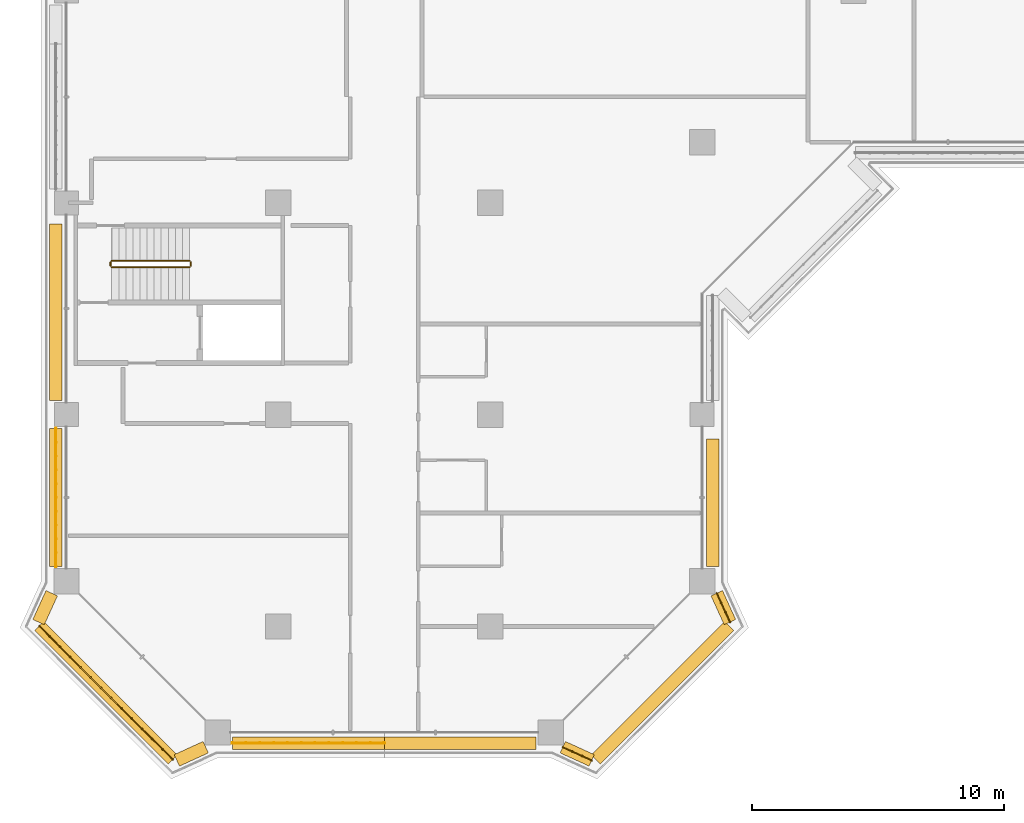
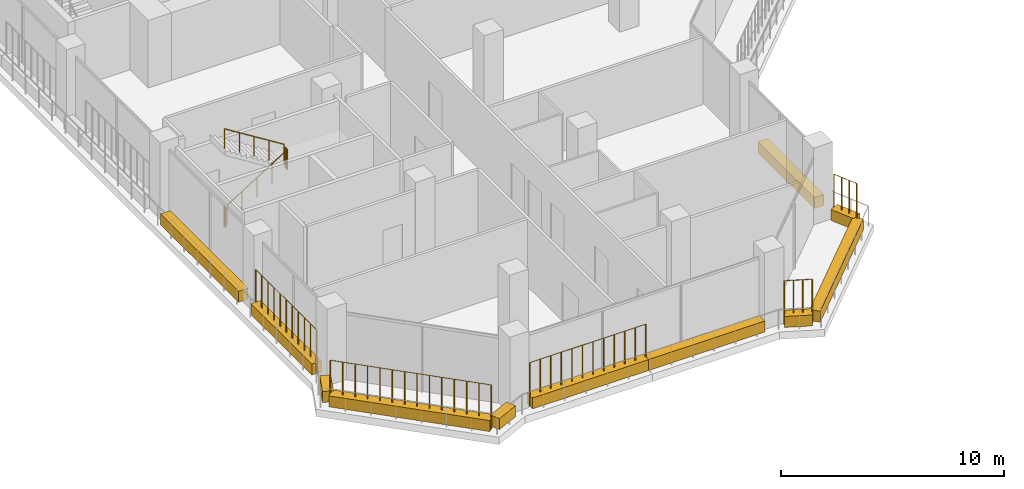
# One storey, part 16 of 22: 11 coverings, 9 railings.
"""IFC4 building model written with IfcOpenShell, lengths in metres."""

import ifcopenshell
import ifcopenshell.guid

model = None  # the IFC model being written
_history = None  # IfcOwnerHistory: only IFC2X3 demands one
_inside = {}  # id of a spatial element -> (the spatial element, [elements in it])
_under = {}  # id of a project, library or spatial element -> (it, [spatial elements below it])
_declared = {}  # id of a project -> (the project, [libraries it declares])
_typed = {}  # id of a type object -> (the type object, [elements of that type])
_made_of = {}  # id of a material, layer set ... -> (it, [elements and type objects made of it])


def new_model(schema):
    """Start an empty IFC model of exactly this schema.

    Asked for "IFC4X3", IfcOpenShell would pick the latest addendum, in which some entities
    have other attributes; the version numbers below select the first issue.
    IFC2X3 requires an IfcOwnerHistory on every rooted entity: one is made here for all.
    """
    global model, _history
    if schema == "IFC4X3":
        model = ifcopenshell.file(schema_version=(4, 3, 0, 0))
    else:
        model = ifcopenshell.file(schema=schema)
    _inside.clear()
    _under.clear()
    _declared.clear()
    _typed.clear()
    _made_of.clear()
    _history = None
    if model.schema == "IFC2X3":
        org = make("IfcOrganization", Name="unknown")
        user = make(
            "IfcPersonAndOrganization",
            ThePerson=make("IfcPerson", FamilyName="unknown"),
            TheOrganization=org,
        )
        app = make(
            "IfcApplication",
            ApplicationDeveloper=org,
            Version="unknown",
            ApplicationFullName="unknown",
            ApplicationIdentifier="unknown",
        )
        _history = make(
            "IfcOwnerHistory",
            OwningUser=user,
            OwningApplication=app,
            ChangeAction="ADDED",
            CreationDate=0,
        )
    return model


def make(cls, **values):
    """One entity of the class cls with the attributes given. An attribute that is None is left unset."""
    return model.create_entity(
        cls, **{name: value for name, value in values.items() if value is not None}
    )


def rooted(cls, **values):
    """An entity with a GlobalId (a new one), such as an element, a storey or a relation."""
    return make(cls, GlobalId=ifcopenshell.guid.new(), OwnerHistory=_history, **values)


def si_unit(unit_type, name, prefix=None):
    """IfcSIUnit, for example si_unit("LENGTHUNIT", "METRE", prefix="MILLI")."""
    return make("IfcSIUnit", UnitType=unit_type, Prefix=prefix, Name=name)


def assignment(units):
    """IfcUnitAssignment: the units of a project."""
    return None if units is None else make("IfcUnitAssignment", Units=units)


def point(xyz):
    """IfcCartesianPoint."""
    return None if xyz is None else make("IfcCartesianPoint", Coordinates=xyz)


def direction(xyz):
    """IfcDirection."""
    return None if xyz is None else make("IfcDirection", DirectionRatios=xyz)


def frame(location, z_axis=None, x_axis=None):
    """IfcAxis2Placement3D, a coordinate frame: its origin and axes. An axis left out is left unset."""
    return make(
        "IfcAxis2Placement3D",
        Location=point(location),
        Axis=direction(z_axis),
        RefDirection=direction(x_axis),
    )


def frame_2d(location, x_axis=None):
    """IfcAxis2Placement2D, a coordinate frame in the plane: its origin and x axis."""
    return make(
        "IfcAxis2Placement2D", Location=point(location), RefDirection=direction(x_axis)
    )


def origin():
    """The frame at (0, 0, 0) with its axes left unset."""
    return frame((0.0, 0.0, 0.0))


def origin_2d():
    """The frame at (0, 0) in the plane with its x axis left unset."""
    return frame_2d((0.0, 0.0))


def place(relative_to, where):
    """IfcLocalPlacement: puts the frame where relative to a parent placement (None: the world)."""
    return make(
        "IfcLocalPlacement", PlacementRelTo=relative_to, RelativePlacement=where
    )


def context(
    kind, dimensions, precision=None, world=None, true_north=None, identifier=None
):
    """IfcGeometricRepresentationContext, for example the 3D "Model" context."""
    return make(
        "IfcGeometricRepresentationContext",
        ContextIdentifier=identifier,
        ContextType=kind,
        CoordinateSpaceDimension=dimensions,
        Precision=precision,
        WorldCoordinateSystem=world,
        TrueNorth=true_north,
    )


def subcontext(parent, identifier, kind, view, scale=None):
    """IfcGeometricRepresentationSubContext, for example "Body" below "Model"."""
    return make(
        "IfcGeometricRepresentationSubContext",
        ContextIdentifier=identifier,
        ContextType=kind,
        ParentContext=parent,
        TargetScale=scale,
        TargetView=view,
    )


def project(units=None, contexts=None):
    """IfcProject with its units and contexts."""
    return rooted(
        "IfcProject",
        Name="project",
        RepresentationContexts=contexts,
        UnitsInContext=assignment(units),
    )


def spatial(cls, under=None, at=None, **own):
    """A site, building, storey or space (cls), placed at a placement, below another one or the project."""
    s = rooted(cls, ObjectPlacement=at, **own)
    if under is not None:
        _under.setdefault(under.id(), (under, []))[1].append(s)
    return s


def profile(cls, at=None, kind="AREA", **sizes):
    """A parametric profile (cls). Its sizes go by their IFC names, for example OverallWidth=200.0."""
    return make(cls, ProfileType=kind, Position=at, **sizes)


def rectangle(**sizes):
    """IfcRectangleProfileDef."""
    return profile("IfcRectangleProfileDef", **sizes)


def circle(**sizes):
    """IfcCircleProfileDef."""
    return profile("IfcCircleProfileDef", **sizes)


def extrude(swept, where, along, depth):
    """IfcExtrudedAreaSolid: the profile swept, set in the frame where, extruded along a direction by depth."""
    return make(
        "IfcExtrudedAreaSolid",
        SweptArea=swept,
        Position=where,
        ExtrudedDirection=direction(along),
        Depth=depth,
    )


def shape(context_of_items, identifier, shape_type, items):
    """IfcShapeRepresentation: the items that make up one representation, for example the "Body"."""
    return make(
        "IfcShapeRepresentation",
        ContextOfItems=context_of_items,
        RepresentationIdentifier=identifier,
        RepresentationType=shape_type,
        Items=items,
    )


def material(Name=None, Category=None):
    """IfcMaterial."""
    return make("IfcMaterial", Name=Name, Category=Category)


def material_profile(
    of_material, cross_section, Name=None, Category=None, Priority=None
):
    """IfcMaterialProfile: a cross section and its material."""
    return make(
        "IfcMaterialProfile",
        Name=Name,
        Material=of_material,
        Profile=cross_section,
        Priority=Priority,
        Category=Category,
    )


def profile_set(profiles, Name=None, composite=None):
    """IfcMaterialProfileSet."""
    return make(
        "IfcMaterialProfileSet",
        Name=Name,
        MaterialProfiles=profiles,
        CompositeProfile=composite,
    )


def made_of(thing, what):
    """Note that an element or type object is made of a material, layer set ...; save() writes the relation."""
    if what is not None:
        _made_of.setdefault(what.id(), (what, []))[1].append(thing)
    return thing


def type_object(cls, material=None, **own):
    """A type object (cls), such as IfcWallType, which elements share."""
    return made_of(rooted(cls, **own), material)


def element(
    cls,
    number,
    at=None,
    inside=None,
    cuts=None,
    type_object=None,
    material=None,
    context=None,
    identifier="Body",
    shape_type=None,
    held_by="IfcProductDefinitionShape",
    body=None,
    shapes=None,
    **own,
):
    """One element of the class cls, such as IfcWall. Its Tag is "e" and its number.

    at: its placement. inside: the storey or other place that contains it. cuts: it is an
    opening in that element (IfcRelVoidsElement). A single representation is given by context,
    identifier, shape_type and body (its items); several are given by shapes. held_by: the class
    of the entity that holds the representations. save() writes the other relations.
    """
    e = rooted(cls, Tag="e%d" % number, ObjectPlacement=at, **own)
    if body is not None:
        shapes = [shape(context, identifier, shape_type, body)]
    if shapes is not None:
        e.Representation = make(held_by, Representations=shapes)
    if inside is not None:
        _inside.setdefault(inside.id(), (inside, []))[1].append(e)
    if cuts is not None:
        rooted(
            "IfcRelVoidsElement", RelatingBuildingElement=cuts, RelatedOpeningElement=e
        )
    if type_object is not None:
        _typed.setdefault(type_object.id(), (type_object, []))[1].append(e)
    return made_of(e, material)


def aggregate(whole, parts):
    """IfcRelAggregates: a whole, such as a stair, and the parts it consists of."""
    return rooted("IfcRelAggregates", RelatingObject=whole, RelatedObjects=parts)


def save(model, path):
    """Write the relations noted so far, then the file.

    IfcRelAggregates (storeys below a building ...), IfcRelContainedInSpatialStructure (elements
    in a storey), IfcRelDefinesByType, IfcRelAssociatesMaterial and IfcRelDeclares: one each for
    every whole, place, type object, material and project.
    """
    for whole, parts in _under.values():
        aggregate(whole, parts)
    for where, things in _inside.values():
        rooted(
            "IfcRelContainedInSpatialStructure",
            RelatedElements=things,
            RelatingStructure=where,
        )
    for kind, things in _typed.values():
        rooted("IfcRelDefinesByType", RelatedObjects=things, RelatingType=kind)
    for what, things in _made_of.values():
        rooted("IfcRelAssociatesMaterial", RelatedObjects=things, RelatingMaterial=what)
    for by, libraries in _declared.values():
        rooted("IfcRelDeclares", RelatingContext=by, RelatedDefinitions=libraries)
    model.write(path)


model = new_model("IFC4")

# Units and contexts
model_context = context("Model", 3, precision=1e-05, world=origin(), true_north=direction((0.0, 1.0)))
body_context = subcontext(model_context, "Body", "Model", "MODEL_VIEW")
ifc_project = project(units=[si_unit("LENGTHUNIT", "METRE"), si_unit("AREAUNIT", "SQUARE_METRE"), si_unit("VOLUMEUNIT", "CUBIC_METRE"), si_unit("PLANEANGLEUNIT", "RADIAN"), si_unit("MASSUNIT", "GRAM", prefix="KILO")], contexts=[model_context])

# Site, building, storey
site_placement = place(None, origin())
site = spatial("IfcSite", under=ifc_project, at=site_placement, CompositionType="ELEMENT")
building_placement = place(site_placement, origin())
building = spatial("IfcBuilding", under=site, at=building_placement, Name="Kawkab Arch Medical Tower", CompositionType="ELEMENT")
storey_placement = place(building_placement, frame((0.0, 0.0, 208.800048828125)))
storey = spatial("IfcBuildingStorey", under=building, at=storey_placement, Name="L48", CompositionType="ELEMENT", Elevation=208.800048828125)

# Coverings
ifc_material_1 = material(Name="Planting soil in a precast trough", Category="concrete")
ifc_material_profile = material_profile(ifc_material_1, rectangle(XDim=0.5, YDim=0.60009765625, at=origin_2d()), Name="Trough 500x600")
ifc_profile_set = profile_set([ifc_material_profile], Name="Planting soil in a precast trough")
covering_type = type_object("IfcCoveringType", Name="Planter trough 500 x 600", PredefinedType="USERDEFINED", material=ifc_profile_set)
covering_1_placement = place(storey_placement, frame((20.821044921875, -55.701904296875, 0.300048828125), z_axis=(-0.909780461959, 0.415089762627, 0.0), x_axis=(-0.415089762627, -0.909780461959, 0.0)))
element("IfcCovering", 1, at=covering_1_placement, inside=storey, type_object=covering_type, Name="Planter L48.LOG-01-01.1", ObjectType="PLANTER", PredefinedType="USERDEFINED", context=body_context, shape_type="SweptSolid", body=[
    extrude(rectangle(XDim=0.5, YDim=0.60009765625, at=origin_2d()), origin(), (0.0, 0.0, 1.0), 1.257568359375),
])
for number, where, z_axis, x_axis, name in (
    (2, (18.6201171875, -55.02001953125, 0.300048828125), (-1.0, 0.0, 0.0), (0.0, -1.0, 0.0), "Planter L48.LOG-01-01.2"),
    (3, (12.60009765625, -55.02001953125, 0.300048828125), (-1.0, 0.0, 0.0), (0.0, -1.0, 0.0), "Planter L48.LOG-01-01.3"),
):
    element("IfcCovering", number, at=place(storey_placement, frame(where, z_axis=z_axis, x_axis=x_axis)), inside=storey, type_object=covering_type, Name=name, ObjectType="PLANTER", PredefinedType="USERDEFINED", context=body_context, shape_type="SweptSolid", body=[
        extrude(rectangle(XDim=0.5, YDim=0.60009765625, at=origin_2d()), origin(), (0.0, 0.0, 1.0), 6.02001953125),
    ])
covering_2_placement = place(storey_placement, frame((5.52294921875, -55.179931640625, 0.300048828125), z_axis=(-0.909780461959, -0.415089762627, 0.0), x_axis=(0.415089762627, -0.909780461959, 0.0)))
element("IfcCovering", 4, at=covering_2_placement, inside=storey, type_object=covering_type, Name="Planter L48.LOG-01-01.4", ObjectType="PLANTER", PredefinedType="USERDEFINED", context=body_context, shape_type="SweptSolid", body=[
    extrude(rectangle(XDim=0.5, YDim=0.60009765625, at=origin_2d()), origin(), (0.0, 0.0, 1.0), 1.257568359375),
])
covering_3_placement = place(storey_placement, frame((4.217041015625, -55.673095703125, 0.300048828125), z_axis=(-0.707106781187, 0.707106781187, 0.0), x_axis=(-0.707106781187, -0.707106781187, 0.0)))
element("IfcCovering", 5, at=covering_3_placement, inside=storey, type_object=covering_type, Name="Planter L48.LOG-01-01.5", ObjectType="PLANTER", PredefinedType="USERDEFINED", context=body_context, shape_type="SweptSolid", body=[
    extrude(rectangle(XDim=0.5, YDim=0.60009765625, at=origin_2d()), origin(), (0.0, 0.0, 1.0), 7.481201171875),
])
covering_4_placement = place(storey_placement, frame((-1.10205078125, -50.220947265625, 0.300048828125), z_axis=(0.415089762627, 0.909780461959, 0.0), x_axis=(-0.909780461959, 0.415089762627, 0.0)))
element("IfcCovering", 6, at=covering_4_placement, inside=storey, type_object=covering_type, Name="Planter L48.LOG-01-01.6", ObjectType="PLANTER", PredefinedType="USERDEFINED", context=body_context, shape_type="SweptSolid", body=[
    extrude(rectangle(XDim=0.5, YDim=0.60009765625, at=origin_2d()), origin(), (0.0, 0.0, 1.0), 1.257568359375),
])
covering_5_placement = place(storey_placement, frame((-0.419921875, -48.02001953125, 0.300048828125), z_axis=(0.0, 1.0, 0.0), x_axis=(-1.0, 0.0, 0.0)))
element("IfcCovering", 7, at=covering_5_placement, inside=storey, type_object=covering_type, Name="Planter L48.LOG-01-01.7", ObjectType="PLANTER", PredefinedType="USERDEFINED", context=body_context, shape_type="SweptSolid", body=[
    extrude(rectangle(XDim=0.5, YDim=0.60009765625, at=origin_2d()), origin(), (0.0, 0.0, 1.0), 5.465087890625),
])
covering_6_placement = place(storey_placement, frame((-0.419921875, -41.445068359375, 0.300048828125), z_axis=(0.0, 1.0, 0.0), x_axis=(-1.0, 0.0, 0.0)))
element("IfcCovering", 8, at=covering_6_placement, inside=storey, type_object=covering_type, Name="Planter L48.LOG-01-01.8", ObjectType="PLANTER", PredefinedType="USERDEFINED", context=body_context, shape_type="SweptSolid", body=[
    extrude(rectangle(XDim=0.5, YDim=0.60009765625, at=origin_2d()), origin(), (0.0, 0.0, 1.0), 7.003173828125),
])
covering_7_placement = place(storey_placement, frame((25.6201171875, -42.955078125, 0.300048828125), z_axis=(0.0, -1.0, 0.0), x_axis=(1.0, 0.0, 0.0)))
element("IfcCovering", 9, at=covering_7_placement, inside=storey, type_object=covering_type, Name="Planter L48.LOG-01-01.42", ObjectType="PLANTER", PredefinedType="USERDEFINED", context=body_context, shape_type="SweptSolid", body=[
    extrude(rectangle(XDim=0.5, YDim=0.60009765625, at=origin_2d()), origin(), (0.0, 0.0, 1.0), 5.06494140625),
])
covering_8_placement = place(storey_placement, frame((25.780029296875, -49.076904296875, 0.300048828125), z_axis=(0.415089762627, -0.909780461959, 0.0), x_axis=(0.909780461959, 0.415089762627, 0.0)))
element("IfcCovering", 10, at=covering_8_placement, inside=storey, type_object=covering_type, Name="Planter L48.LOG-01-01.43", ObjectType="PLANTER", PredefinedType="USERDEFINED", context=body_context, shape_type="SweptSolid", body=[
    extrude(rectangle(XDim=0.5, YDim=0.60009765625, at=origin_2d()), origin(), (0.0, 0.0, 1.0), 1.257568359375),
])
covering_9_placement = place(storey_placement, frame((26.27294921875, -50.383056640625, 0.300048828125), z_axis=(-0.707106781187, -0.707106781187, 0.0), x_axis=(0.707106781187, -0.707106781187, 0.0)))
element("IfcCovering", 11, at=covering_9_placement, inside=storey, type_object=covering_type, Name="Planter L48.LOG-01-01.44", ObjectType="PLANTER", PredefinedType="USERDEFINED", context=body_context, shape_type="SweptSolid", body=[
    extrude(rectangle(XDim=0.5, YDim=0.60009765625, at=origin_2d()), origin(), (0.0, 0.0, 1.0), 7.481201171875),
])

# Railings
ifc_material_2 = material(Name="Bronze anodised aluminium trellis for climbing plants", Category="aluminium")
railing_type_1 = type_object("IfcRailingType", Name="Planting trellis 2400", PredefinedType="USERDEFINED", material=ifc_material_2)
railing_1_placement = place(storey_placement, frame((20.821044921875, -55.701904296875, 0.0)))
element("IfcRailing", 12, at=railing_1_placement, inside=storey, type_object=railing_type_1, Name="Planting trellis L48.LOG-01-01.1", ObjectType="TRELLIS", PredefinedType="USERDEFINED", context=body_context, shape_type="SweptSolid", body=[
    extrude(circle(Radius=0.01513671875, at=origin_2d()), frame((0.0, 0.0, 2.384765625), z_axis=(-0.909780461959, 0.415089762627, 0.0), x_axis=(-0.415089762627, -0.909780461959, 0.0)), (0.0, 0.0, 1.0), 1.257568359375),
    extrude(circle(Radius=0.030029296875, at=origin_2d()), origin(), (0.0, 0.0, 1.0), 2.369873046875),
    extrude(circle(Radius=0.030029296875, at=origin_2d()), frame((-0.38134765625, 0.174072265625, 0.0)), (0.0, 0.0, 1.0), 2.369873046875),
    extrude(circle(Radius=0.030029296875, at=origin_2d()), frame((-0.7626953125, 0.347900390625, 0.0)), (0.0, 0.0, 1.0), 2.369873046875),
    extrude(circle(Radius=0.030029296875, at=origin_2d()), frame((-1.14404296875, 0.52197265625, 0.0)), (0.0, 0.0, 1.0), 2.369873046875),
])
railing_2_placement = place(storey_placement, frame((12.60009765625, -55.02001953125, 0.0)))
element("IfcRailing", 13, at=railing_2_placement, inside=storey, type_object=railing_type_1, Name="Planting trellis L48.LOG-01-01.3", ObjectType="TRELLIS", PredefinedType="USERDEFINED", context=body_context, shape_type="SweptSolid", body=[
    extrude(circle(Radius=0.01513671875, at=origin_2d()), frame((0.0, 0.0, 2.384765625), z_axis=(-1.0, 0.0, 0.0), x_axis=(0.0, -1.0, 0.0)), (0.0, 0.0, 1.0), 6.02001953125),
    extrude(circle(Radius=0.030029296875, at=origin_2d()), origin(), (0.0, 0.0, 1.0), 2.369873046875),
    extrude(circle(Radius=0.030029296875, at=origin_2d()), frame((-0.54736328125, 0.0, 0.0)), (0.0, 0.0, 1.0), 2.369873046875),
    extrude(circle(Radius=0.030029296875, at=origin_2d()), frame((-1.094482421875, 0.0, 0.0)), (0.0, 0.0, 1.0), 2.369873046875),
    extrude(circle(Radius=0.030029296875, at=origin_2d()), frame((-1.641845703125, 0.0, 0.0)), (0.0, 0.0, 1.0), 2.369873046875),
    extrude(circle(Radius=0.030029296875, at=origin_2d()), frame((-2.189208984375, 0.0, 0.0)), (0.0, 0.0, 1.0), 2.369873046875),
    extrude(circle(Radius=0.030029296875, at=origin_2d()), frame((-2.736328125, 0.0, 0.0)), (0.0, 0.0, 1.0), 2.369873046875),
    extrude(circle(Radius=0.030029296875, at=origin_2d()), frame((-3.28369140625, 0.0, 0.0)), (0.0, 0.0, 1.0), 2.369873046875),
    extrude(circle(Radius=0.030029296875, at=origin_2d()), frame((-3.830810546875, 0.0, 0.0)), (0.0, 0.0, 1.0), 2.369873046875),
    extrude(circle(Radius=0.030029296875, at=origin_2d()), frame((-4.378173828125, 0.0, 0.0)), (0.0, 0.0, 1.0), 2.369873046875),
    extrude(circle(Radius=0.030029296875, at=origin_2d()), frame((-4.925537109375, 0.0, 0.0)), (0.0, 0.0, 1.0), 2.369873046875),
    extrude(circle(Radius=0.030029296875, at=origin_2d()), frame((-5.47265625, 0.0, 0.0)), (0.0, 0.0, 1.0), 2.369873046875),
    extrude(circle(Radius=0.030029296875, at=origin_2d()), frame((-6.02001953125, 0.0, 0.0)), (0.0, 0.0, 1.0), 2.369873046875),
])
railing_3_placement = place(storey_placement, frame((4.217041015625, -55.673095703125, 0.0)))
element("IfcRailing", 14, at=railing_3_placement, inside=storey, type_object=railing_type_1, Name="Planting trellis L48.LOG-01-01.5", ObjectType="TRELLIS", PredefinedType="USERDEFINED", context=body_context, shape_type="SweptSolid", body=[
    extrude(circle(Radius=0.01513671875, at=origin_2d()), frame((0.0, 0.0, 2.384765625), z_axis=(-0.707106781187, 0.707106781187, 0.0), x_axis=(-0.707106781187, -0.707106781187, 0.0)), (0.0, 0.0, 1.0), 7.481201171875),
    extrude(circle(Radius=0.030029296875, at=origin_2d()), origin(), (0.0, 0.0, 1.0), 2.369873046875),
    extrude(circle(Radius=0.030029296875, at=origin_2d()), frame((-0.406982421875, 0.406982421875, 0.0)), (0.0, 0.0, 1.0), 2.369873046875),
    extrude(circle(Radius=0.030029296875, at=origin_2d()), frame((-0.81396484375, 0.81396484375, 0.0)), (0.0, 0.0, 1.0), 2.369873046875),
    extrude(circle(Radius=0.030029296875, at=origin_2d()), frame((-1.220703125, 1.220703125, 0.0)), (0.0, 0.0, 1.0), 2.369873046875),
    extrude(circle(Radius=0.030029296875, at=origin_2d()), frame((-1.627685546875, 1.627685546875, 0.0)), (0.0, 0.0, 1.0), 2.369873046875),
    extrude(circle(Radius=0.030029296875, at=origin_2d()), frame((-2.03466796875, 2.03466796875, 0.0)), (0.0, 0.0, 1.0), 2.369873046875),
    extrude(circle(Radius=0.030029296875, at=origin_2d()), frame((-2.441650390625, 2.441650390625, 0.0)), (0.0, 0.0, 1.0), 2.369873046875),
    extrude(circle(Radius=0.030029296875, at=origin_2d()), frame((-2.848388671875, 2.848388671875, 0.0)), (0.0, 0.0, 1.0), 2.369873046875),
    extrude(circle(Radius=0.030029296875, at=origin_2d()), frame((-3.25537109375, 3.25537109375, 0.0)), (0.0, 0.0, 1.0), 2.369873046875),
    extrude(circle(Radius=0.030029296875, at=origin_2d()), frame((-3.662353515625, 3.662353515625, 0.0)), (0.0, 0.0, 1.0), 2.369873046875),
    extrude(circle(Radius=0.030029296875, at=origin_2d()), frame((-4.0693359375, 4.0693359375, 0.0)), (0.0, 0.0, 1.0), 2.369873046875),
    extrude(circle(Radius=0.030029296875, at=origin_2d()), frame((-4.47607421875, 4.47607421875, 0.0)), (0.0, 0.0, 1.0), 2.369873046875),
    extrude(circle(Radius=0.030029296875, at=origin_2d()), frame((-4.883056640625, 4.883056640625, 0.0)), (0.0, 0.0, 1.0), 2.369873046875),
    extrude(circle(Radius=0.030029296875, at=origin_2d()), frame((-5.2900390625, 5.2900390625, 0.0)), (0.0, 0.0, 1.0), 2.369873046875),
])
railing_4_placement = place(storey_placement, frame((-0.419921875, -48.02001953125, 0.0)))
element("IfcRailing", 15, at=railing_4_placement, inside=storey, type_object=railing_type_1, Name="Planting trellis L48.LOG-01-01.7", ObjectType="TRELLIS", PredefinedType="USERDEFINED", context=body_context, shape_type="SweptSolid", body=[
    extrude(circle(Radius=0.01513671875, at=origin_2d()), frame((0.0, 0.0, 2.384765625), z_axis=(0.0, 1.0, 0.0), x_axis=(-1.0, 0.0, 0.0)), (0.0, 0.0, 1.0), 5.465087890625),
    extrude(circle(Radius=0.030029296875, at=origin_2d()), origin(), (0.0, 0.0, 1.0), 2.369873046875),
    extrude(circle(Radius=0.030029296875, at=origin_2d()), frame((0.0, 0.54638671875, 0.0)), (0.0, 0.0, 1.0), 2.369873046875),
    extrude(circle(Radius=0.030029296875, at=origin_2d()), frame((0.0, 1.093017578125, 0.0)), (0.0, 0.0, 1.0), 2.369873046875),
    extrude(circle(Radius=0.030029296875, at=origin_2d()), frame((0.0, 1.6396484375, 0.0)), (0.0, 0.0, 1.0), 2.369873046875),
    extrude(circle(Radius=0.030029296875, at=origin_2d()), frame((0.0, 2.18603515625, 0.0)), (0.0, 0.0, 1.0), 2.369873046875),
    extrude(circle(Radius=0.030029296875, at=origin_2d()), frame((0.0, 2.732421875, 0.0)), (0.0, 0.0, 1.0), 2.369873046875),
    extrude(circle(Radius=0.030029296875, at=origin_2d()), frame((0.0, 3.279052734375, 0.0)), (0.0, 0.0, 1.0), 2.369873046875),
    extrude(circle(Radius=0.030029296875, at=origin_2d()), frame((0.0, 3.825439453125, 0.0)), (0.0, 0.0, 1.0), 2.369873046875),
    extrude(circle(Radius=0.030029296875, at=origin_2d()), frame((0.0, 4.3720703125, 0.0)), (0.0, 0.0, 1.0), 2.369873046875),
    extrude(circle(Radius=0.030029296875, at=origin_2d()), frame((0.0, 4.91845703125, 0.0)), (0.0, 0.0, 1.0), 2.369873046875),
    extrude(circle(Radius=0.030029296875, at=origin_2d()), frame((0.0, 5.465087890625, 0.0)), (0.0, 0.0, 1.0), 2.369873046875),
])
railing_5_placement = place(storey_placement, frame((25.780029296875, -49.076904296875, 0.0)))
element("IfcRailing", 16, at=railing_5_placement, inside=storey, type_object=railing_type_1, Name="Planting trellis L48.LOG-01-01.43", ObjectType="TRELLIS", PredefinedType="USERDEFINED", context=body_context, shape_type="SweptSolid", body=[
    extrude(circle(Radius=0.01513671875, at=origin_2d()), frame((0.0, 0.0, 2.384765625), z_axis=(0.415089762627, -0.909780461959, 0.0), x_axis=(0.909780461959, 0.415089762627, 0.0)), (0.0, 0.0, 1.0), 1.257568359375),
    extrude(circle(Radius=0.030029296875, at=origin_2d()), origin(), (0.0, 0.0, 1.0), 2.369873046875),
    extrude(circle(Radius=0.030029296875, at=origin_2d()), frame((0.174072265625, -0.38134765625, 0.0)), (0.0, 0.0, 1.0), 2.369873046875),
    extrude(circle(Radius=0.030029296875, at=origin_2d()), frame((0.347900390625, -0.7626953125, 0.0)), (0.0, 0.0, 1.0), 2.369873046875),
    extrude(circle(Radius=0.030029296875, at=origin_2d()), frame((0.52197265625, -1.14404296875, 0.0)), (0.0, 0.0, 1.0), 2.369873046875),
])
ifc_material_3 = material(Name="Stainless steel", Category="steel")
railing_type_2 = type_object("IfcRailingType", Name="Stair guard 1100", PredefinedType="GUARDRAIL", material=ifc_material_3)
railing_6_placement = place(storey_placement, frame((1.800048828125, -36.14990234375, 0.175048828125)))
element("IfcRailing", 17, at=railing_6_placement, inside=storey, type_object=railing_type_2, Name="L48 ST6 stair guard 1", PredefinedType="GUARDRAIL", context=body_context, shape_type="SweptSolid", body=[
    extrude(circle(Radius=0.02392578125, at=origin_2d()), frame((0.0, 0.0, 1.076171875), z_axis=(0.848009633417, 0.0, 0.529980812513), x_axis=(0.0, 1.0, 0.0)), (0.0, 0.0, 1.0), 3.6318359375),
    extrude(circle(Radius=0.02099609375, at=origin_2d()), origin(), (0.0, 0.0, 1.0), 1.052001953125),
    extrude(circle(Radius=0.02099609375, at=origin_2d()), frame((0.77001953125, 0.0, 0.481201171875)), (0.0, 0.0, 1.0), 1.052001953125),
    extrude(circle(Radius=0.02099609375, at=origin_2d()), frame((1.5400390625, 0.0, 0.96240234375)), (0.0, 0.0, 1.0), 1.052001953125),
    extrude(circle(Radius=0.02099609375, at=origin_2d()), frame((2.309814453125, 0.0, 1.443603515625)), (0.0, 0.0, 1.0), 1.052001953125),
    extrude(circle(Radius=0.02099609375, at=origin_2d()), frame((3.079833984375, 0.0, 1.9248046875)), (0.0, 0.0, 1.0), 1.052001953125),
])
railing_7_placement = place(storey_placement, frame((4.929931640625, -36.10009765625, 2.099853515625)))
element("IfcRailing", 18, at=railing_7_placement, inside=storey, type_object=railing_type_2, Name="L48 ST6 stair guard 2", PredefinedType="GUARDRAIL", context=body_context, shape_type="SweptSolid", body=[
    extrude(circle(Radius=0.02392578125, at=origin_2d()), frame((0.0, 0.0, 1.076171875), z_axis=(0.0, 1.0, 0.0), x_axis=(-1.0, 0.0, 0.0)), (0.0, 0.0, 1.0), 0.150146484375),
    extrude(circle(Radius=0.02099609375, at=origin_2d()), origin(), (0.0, 0.0, 1.0), 1.052001953125),
    extrude(circle(Radius=0.02099609375, at=origin_2d()), frame((0.0, 0.150146484375, 0.0)), (0.0, 0.0, 1.0), 1.052001953125),
])
railing_8_placement = place(storey_placement, frame((4.8798828125, -35.89990234375, 2.27490234375)))
element("IfcRailing", 19, at=railing_8_placement, inside=storey, type_object=railing_type_2, Name="L48 ST6 stair guard 3", PredefinedType="GUARDRAIL", context=body_context, shape_type="SweptSolid", body=[
    extrude(circle(Radius=0.02392578125, at=origin_2d()), frame((0.0, 0.0, 1.076171875), z_axis=(-0.847979421464, 0.0, 0.530029150871), x_axis=(0.0, -1.0, 0.0)), (0.0, 0.0, 1.0), 3.632080078125),
    extrude(circle(Radius=0.02099609375, at=origin_2d()), origin(), (0.0, 0.0, 1.0), 1.052001953125),
    extrude(circle(Radius=0.02099609375, at=origin_2d()), frame((-0.77001953125, 0.0, 0.481201171875)), (0.0, 0.0, 1.0), 1.052001953125),
    extrude(circle(Radius=0.02099609375, at=origin_2d()), frame((-1.5400390625, 0.0, 0.96240234375)), (0.0, 0.0, 1.0), 1.052001953125),
    extrude(circle(Radius=0.02099609375, at=origin_2d()), frame((-2.309814453125, 0.0, 1.44384765625)), (0.0, 0.0, 1.0), 1.052001953125),
    extrude(circle(Radius=0.02099609375, at=origin_2d()), frame((-3.079833984375, 0.0, 1.925048828125)), (0.0, 0.0, 1.0), 1.052001953125),
])
railing_9_placement = place(storey_placement, frame((1.75, -36.10009765625, 0.0)))
element("IfcRailing", 20, at=railing_9_placement, inside=storey, type_object=railing_type_2, Name="L48 ST6 stair guard 4", PredefinedType="GUARDRAIL", context=body_context, shape_type="SweptSolid", body=[
    extrude(circle(Radius=0.02392578125, at=origin_2d()), frame((0.0, 0.0, 1.076171875), z_axis=(0.0, 1.0, 0.0), x_axis=(-1.0, 0.0, 0.0)), (0.0, 0.0, 1.0), 0.150146484375),
    extrude(circle(Radius=0.02099609375, at=origin_2d()), origin(), (0.0, 0.0, 1.0), 1.052001953125),
    extrude(circle(Radius=0.02099609375, at=origin_2d()), frame((0.0, 0.150146484375, 0.0)), (0.0, 0.0, 1.0), 1.052001953125),
])

save(model, "model.ifc")
